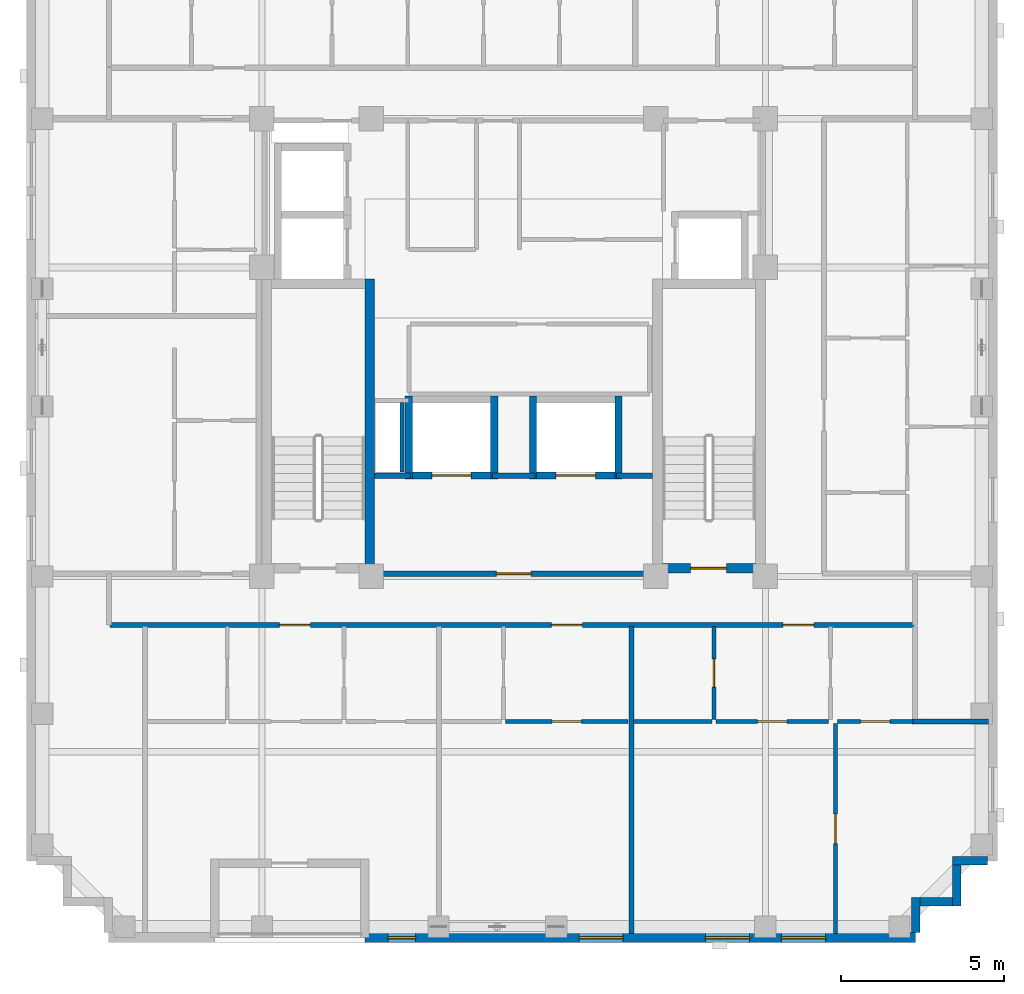
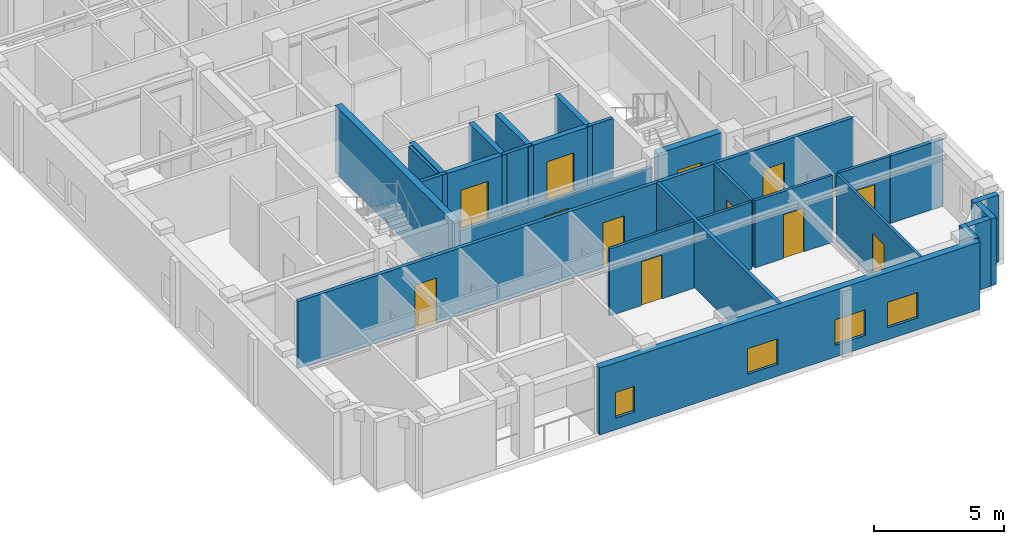
# One storey, part 3 of 11: 27 walls, 12 doors, 4 windows, 16 openings.
"""IFC4 building model written with IfcOpenShell, lengths in metres."""

from ifc_helpers import new_model, si_unit, derived_unit, direction, frame, frame_2d, origin, place, context, subcontext, project, spatial, rectangle, extrude, material, layer, layer_set, type_object, element, fill, save


model = new_model("IFC4")

# Units and contexts
model_context = context("Model", 3, precision=1e-05, world=origin(), true_north=direction((0.0, 1.0)))
body_context = subcontext(model_context, "Body", "Model", "MODEL_VIEW")
ifc_project = project(units=[si_unit("LENGTHUNIT", "METRE"), si_unit("AREAUNIT", "SQUARE_METRE"), si_unit("VOLUMEUNIT", "CUBIC_METRE"), si_unit("PLANEANGLEUNIT", "RADIAN"), si_unit("MASSUNIT", "GRAM", prefix="KILO"), derived_unit("THERMALTRANSMITTANCEUNIT", [(si_unit("MASSUNIT", "GRAM", prefix="KILO"), 1), (si_unit("TIMEUNIT", "SECOND"), -3), (si_unit("THERMODYNAMICTEMPERATUREUNIT", "KELVIN"), -1)])], contexts=[model_context])

# Site, building, storey
site_placement = place(None, origin())
site = spatial("IfcSite", under=ifc_project, at=site_placement, CompositionType="ELEMENT")
building_placement = place(site_placement, origin())
building = spatial("IfcBuilding", under=site, at=building_placement, Name="Korrvale Station Residences", CompositionType="ELEMENT")
storey_placement = place(building_placement, frame((0.0, 0.0, 247.89990234375)))
storey = spatial("IfcBuildingStorey", under=building, at=storey_placement, Name="L72", CompositionType="ELEMENT", Elevation=247.89990234375)

# Wall
ifc_material_1 = material(Name="Concrete C50/60", Category="concrete")
ifc_layer_1 = layer(ifc_material_1, 0.300048828125, Name="Concrete C50/60")
ifc_layer_set_1 = layer_set([ifc_layer_1], Name="Concrete C50/60")
wall_type_1 = type_object("IfcWallType", Name="WAL-CORE-300-C50", PredefinedType="SHEAR", material=ifc_layer_set_1)
wall_1_placement = place(storey_placement, frame((21.10009765625, 15.10009765625, 0.0), z_axis=(0.0, 0.0, 1.0), x_axis=(0.0, 1.0, 0.0)))
element("IfcWall", 1, at=wall_1_placement, inside=storey, type_object=wall_type_1, Name="L72 ST-1 Core Shear Wall East", PredefinedType="SHEAR", context=body_context, shape_type="SweptSolid", body=[
    extrude(rectangle(XDim=9.0, YDim=0.300048828125, at=frame_2d((4.5, 0.0))), origin(), (0.0, 0.0, 1.0), 3.14013671875),
])

# Wall, opening, door
wall_2_placement = place(storey_placement, frame((30.050048828125, 15.25, 0.0), z_axis=(0.0, 0.0, 1.0), x_axis=(1.0, 0.0, 0.0)))
wall_2 = element("IfcWall", 2, at=wall_2_placement, inside=storey, type_object=wall_type_1, Name="L72 ST-2 Core Shear Wall South", PredefinedType="SHEAR", context=body_context, shape_type="SweptSolid", body=[
    extrude(rectangle(XDim=2.849853515625, YDim=0.300048828125, at=frame_2d((1.4248046875, 0.0))), origin(), (0.0, 0.0, 1.0), 3.14013671875),
])
opening_1_placement = place(wall_2_placement, frame((0.860107421875, 0.0, 0.0)))
opening_1 = element("IfcOpeningElement", 3, at=opening_1_placement, cuts=wall_2, Name="Opening SD-1100", PredefinedType="OPENING", context=body_context, shape_type="SweptSolid", body=[
    extrude(rectangle(XDim=1.10009765625, YDim=2.050048828125, at=frame_2d((0.550048828125, 1.02490234375))), frame((0.0, 0.16015625, 0.0), z_axis=(0.0, -1.0, 0.0), x_axis=(1.0, 0.0, 0.0)), (0.0, 0.0, 1.0), 0.320068359375),
])
ifc_material_2 = material(Name="Hollow-metal fire-rated stair door with closer", Category="steel")
door_type_1 = type_object("IfcDoorType", Name="DR-STAIR-1100", OperationType="NOTDEFINED", PredefinedType="DOOR", material=ifc_material_2)
door_1_placement = place(opening_1_placement, origin())
door_1 = element("IfcDoor", 4, at=door_1_placement, inside=storey, type_object=door_type_1, Name="L72 ST-2 Exit Stair Door", OperationType="SINGLE_SWING_RIGHT", OverallHeight=2.050048828125, OverallWidth=1.10009765625, PredefinedType="DOOR", context=body_context, shape_type="SweptSolid", body=[
    extrude(rectangle(XDim=1.10009765625, YDim=2.050048828125, at=frame_2d((0.550048828125, 1.02490234375))), frame((0.0, 0.02490234375, 0.0), z_axis=(0.0, -1.0, 0.0), x_axis=(1.0, 0.0, 0.0)), (0.0, 0.0, 1.0), 0.050048828125),
])
fill(opening_1, door_1)

# Walls
ifc_material_3 = material(Name="Precast concrete C45/55", Category="concrete")
ifc_layer_2 = layer(ifc_material_3, 0.260009765625, Name="Precast concrete C45/55")
ifc_layer_set_2 = layer_set([ifc_layer_2], Name="Precast concrete C45/55")
wall_type_2 = type_object("IfcWallType", Name="WAL-EXT-LOG260", PredefinedType="SOLIDWALL", material=ifc_layer_set_2)
wall_3_placement = place(storey_placement, frame((39.998046875, 6.300048828125, 0.0), z_axis=(0.0, 0.0, 1.0), x_axis=(-1.0, 0.0, 0.0)))
element("IfcWall", 5, at=wall_3_placement, inside=storey, type_object=wall_type_2, Name="L72 Serrated Corner Precast Step SE-1", PredefinedType="SOLIDWALL", context=body_context, shape_type="SweptSolid", body=[
    extrude(rectangle(XDim=1.078125, YDim=0.260009765625, at=frame_2d((0.5390625, 0.0))), origin(), (0.0, 0.0, 1.0), 3.14013671875),
])
wall_4_placement = place(storey_placement, frame((39.050048828125, 6.16796875, 0.0), z_axis=(0.0, 0.0, 1.0), x_axis=(0.0, -1.0, 0.0)))
element("IfcWall", 6, at=wall_4_placement, inside=storey, type_object=wall_type_2, Name="L72 Serrated Corner Precast Step SE-2", PredefinedType="SOLIDWALL", context=body_context, shape_type="SweptSolid", body=[
    extrude(rectangle(XDim=1.248046875, YDim=0.260009765625, at=frame_2d((0.6240234375, 0.0))), origin(), (0.0, 0.0, 1.0), 3.14013671875),
])
wall_5_placement = place(storey_placement, frame((38.91796875, 5.050048828125, 0.0), z_axis=(0.0, 0.0, 1.0), x_axis=(-1.0, 0.0, 0.0)))
element("IfcWall", 7, at=wall_5_placement, inside=storey, type_object=wall_type_2, Name="L72 Serrated Corner Precast Step SE-3", PredefinedType="SOLIDWALL", context=body_context, shape_type="SweptSolid", body=[
    extrude(rectangle(XDim=0.986083984375, YDim=0.260009765625, at=frame_2d((0.4931640625, 0.0))), origin(), (0.0, 0.0, 1.0), 3.14013671875),
])
wall_6_placement = place(storey_placement, frame((37.800048828125, 5.179931640625, 0.0), z_axis=(0.0, 0.0, 1.0), x_axis=(0.0, -1.0, 0.0)))
element("IfcWall", 8, at=wall_6_placement, inside=storey, type_object=wall_type_2, Name="L72 Serrated Corner Precast Step SE-4", PredefinedType="SOLIDWALL", context=body_context, shape_type="SweptSolid", body=[
    extrude(rectangle(XDim=1.077880859375, YDim=0.260009765625, at=frame_2d((0.5390625, 0.0))), origin(), (0.0, 0.0, 1.0), 3.14013671875),
])

# Wall, openings, windows
ifc_layer_3 = layer(ifc_material_3, 0.300048828125, Name="Precast concrete C45/55")
ifc_layer_set_3 = layer_set([ifc_layer_3], Name="Precast concrete C45/55")
wall_type_3 = type_object("IfcWallType", Name="WAL-EXT-PC300", PredefinedType="SOLIDWALL", material=ifc_layer_set_3)
wall_7_placement = place(storey_placement, frame((37.800048828125, 3.949951171875, 0.0), z_axis=(0.0, 0.0, 1.0), x_axis=(-1.0, 0.0, 0.0)))
wall_7 = element("IfcWall", 9, at=wall_7_placement, inside=storey, type_object=wall_type_3, Name="L72 South Exterior Precast Wall 1", PredefinedType="SOLIDWALL", context=body_context, shape_type="SweptSolid", body=[
    extrude(rectangle(XDim=16.85009765625, YDim=0.300048828125, at=frame_2d((8.425048828125, 0.0))), origin(), (0.0, 0.0, 1.0), 3.14013671875),
])
opening_2_placement = place(wall_7_placement, frame((15.300048828125, 0.0, 0.550048828125)))
opening_2 = element("IfcOpeningElement", 10, at=opening_2_placement, cuts=wall_7, Name="Opening W-11", PredefinedType="OPENING", context=body_context, shape_type="SweptSolid", body=[
    extrude(rectangle(XDim=0.85009765625, YDim=1.199951171875, at=frame_2d((0.425048828125, 0.60009765625))), frame((0.0, 0.16015625, 0.0), z_axis=(0.0, -1.0, 0.0), x_axis=(1.0, 0.0, 0.0)), (0.0, 0.0, 1.0), 0.320068359375),
])
opening_3_placement = place(wall_7_placement, frame((8.949951171875, 0.0, 0.550048828125)))
opening_3 = element("IfcOpeningElement", 11, at=opening_3_placement, cuts=wall_7, Name="Opening W-10", PredefinedType="OPENING", context=body_context, shape_type="SweptSolid", body=[
    extrude(rectangle(XDim=1.35009765625, YDim=1.199951171875, at=frame_2d((0.675048828125, 0.60009765625))), frame((0.0, 0.16015625, 0.0), z_axis=(0.0, -1.0, 0.0), x_axis=(1.0, 0.0, 0.0)), (0.0, 0.0, 1.0), 0.320068359375),
])
opening_4_placement = place(wall_7_placement, frame((5.0849609375, 0.0, 0.550048828125)))
opening_4 = element("IfcOpeningElement", 12, at=opening_4_placement, cuts=wall_7, Name="Opening W-10", PredefinedType="OPENING", context=body_context, shape_type="SweptSolid", body=[
    extrude(rectangle(XDim=1.35009765625, YDim=1.199951171875, at=frame_2d((0.675048828125, 0.60009765625))), frame((0.0, 0.16015625, 0.0), z_axis=(0.0, -1.0, 0.0), x_axis=(1.0, 0.0, 0.0)), (0.0, 0.0, 1.0), 0.320068359375),
])
opening_5_placement = place(wall_7_placement, frame((2.757080078125, 0.0, 0.550048828125)))
opening_5 = element("IfcOpeningElement", 13, at=opening_5_placement, cuts=wall_7, Name="Opening W-10", PredefinedType="OPENING", context=body_context, shape_type="SweptSolid", body=[
    extrude(rectangle(XDim=1.35009765625, YDim=1.199951171875, at=frame_2d((0.675048828125, 0.60009765625))), frame((0.0, 0.16015625, 0.0), z_axis=(0.0, -1.0, 0.0), x_axis=(1.0, 0.0, 0.0)), (0.0, 0.0, 1.0), 0.320068359375),
])
ifc_material_4 = material(Name="Thermally broken aluminium frame with triple low-e glazing", Category="aluminium")
window_type_1 = type_object("IfcWindowType", Name="WIN-W10", PartitioningType="SINGLE_PANEL", PredefinedType="WINDOW", material=ifc_material_4)
window_1_placement = place(opening_3_placement, origin())
window_1 = element("IfcWindow", 14, at=window_1_placement, inside=storey, type_object=window_type_1, Name="L72 Punched Window 02", OverallHeight=1.199951171875, OverallWidth=1.35009765625, PartitioningType="SINGLE_PANEL", PredefinedType="WINDOW", context=body_context, shape_type="SweptSolid", body=[
    extrude(rectangle(XDim=1.35009765625, YDim=1.199951171875, at=frame_2d((0.675048828125, 0.60009765625))), frame((0.0, 0.030029296875, 0.0), z_axis=(0.0, -1.0, 0.0), x_axis=(1.0, 0.0, 0.0)), (0.0, 0.0, 1.0), 0.06005859375),
])
fill(opening_3, window_1)
window_2_placement = place(opening_4_placement, origin())
window_2 = element("IfcWindow", 15, at=window_2_placement, inside=storey, type_object=window_type_1, Name="L72 Punched Window 03", OverallHeight=1.199951171875, OverallWidth=1.35009765625, PartitioningType="SINGLE_PANEL", PredefinedType="WINDOW", context=body_context, shape_type="SweptSolid", body=[
    extrude(rectangle(XDim=1.35009765625, YDim=1.199951171875, at=frame_2d((0.675048828125, 0.60009765625))), frame((0.0, 0.030029296875, 0.0), z_axis=(0.0, -1.0, 0.0), x_axis=(1.0, 0.0, 0.0)), (0.0, 0.0, 1.0), 0.06005859375),
])
fill(opening_4, window_2)
window_3_placement = place(opening_5_placement, origin())
window_3 = element("IfcWindow", 16, at=window_3_placement, inside=storey, type_object=window_type_1, Name="L72 Punched Window 04", OverallHeight=1.199951171875, OverallWidth=1.35009765625, PartitioningType="SINGLE_PANEL", PredefinedType="WINDOW", context=body_context, shape_type="SweptSolid", body=[
    extrude(rectangle(XDim=1.35009765625, YDim=1.199951171875, at=frame_2d((0.675048828125, 0.60009765625))), frame((0.0, 0.030029296875, 0.0), z_axis=(0.0, -1.0, 0.0), x_axis=(1.0, 0.0, 0.0)), (0.0, 0.0, 1.0), 0.06005859375),
])
fill(opening_5, window_3)
window_type_2 = type_object("IfcWindowType", Name="WIN-W11", PartitioningType="SINGLE_PANEL", PredefinedType="WINDOW", material=ifc_material_4)
window_4_placement = place(opening_2_placement, origin())
window_4 = element("IfcWindow", 17, at=window_4_placement, inside=storey, type_object=window_type_2, Name="L72 Punched Window 01", OverallHeight=1.199951171875, OverallWidth=0.85009765625, PartitioningType="SINGLE_PANEL", PredefinedType="WINDOW", context=body_context, shape_type="SweptSolid", body=[
    extrude(rectangle(XDim=0.85009765625, YDim=1.199951171875, at=frame_2d((0.425048828125, 0.60009765625))), frame((0.0, 0.030029296875, 0.0), z_axis=(0.0, -1.0, 0.0), x_axis=(1.0, 0.0, 0.0)), (0.0, 0.0, 1.0), 0.06005859375),
])
fill(opening_2, window_4)

# Wall
ifc_material_5 = material(Name="Acoustic steel-stud gypsum board partition", Category="steel")
ifc_layer_4 = layer(ifc_material_5, 0.1201171875, Name="Acoustic steel-stud gypsum board partition")
ifc_layer_set_4 = layer_set([ifc_layer_4], Name="Acoustic steel-stud gypsum board partition")
wall_type_4 = type_object("IfcWallType", Name="WAL-PART-125", PredefinedType="PARTITIONING", material=ifc_layer_set_4)
wall_8_placement = place(storey_placement, frame((22.080078125, 18.199951171875, 0.0), z_axis=(0.0, 0.0, 1.0), x_axis=(0.0, 1.0, 0.0)))
element("IfcWall", 18, at=wall_8_placement, inside=storey, type_object=wall_type_4, Name="L72 Core Partition CW-RSWT", PredefinedType="PARTITIONING", context=body_context, shape_type="SweptSolid", body=[
    extrude(rectangle(XDim=2.1201171875, YDim=0.1201171875, at=frame_2d((1.06005859375, 0.0))), origin(), (0.0, 0.0, 1.0), 3.14013671875),
])

# Wall, opening, door
wall_9_placement = place(storey_placement, frame((25.25, 10.56005859375, 0.0), z_axis=(0.0, 0.0, 1.0), x_axis=(1.0, 0.0, 0.0)))
wall_9 = element("IfcWall", 19, at=wall_9_placement, inside=storey, type_object=wall_type_4, Name="L72 Suite Partition U02-H12", PredefinedType="PARTITIONING", context=body_context, shape_type="SweptSolid", body=[
    extrude(rectangle(XDim=3.7548828125, YDim=0.1201171875, at=frame_2d((1.87744140625, 0.0))), origin(), (0.0, 0.0, 1.0), 3.14013671875),
])
opening_6_placement = place(wall_9_placement, frame((1.427001953125, 0.0, 0.0)))
opening_6 = element("IfcOpeningElement", 20, at=opening_6_placement, cuts=wall_9, Name="Opening DI-900", PredefinedType="OPENING", context=body_context, shape_type="SweptSolid", body=[
    extrude(rectangle(XDim=0.89990234375, YDim=2.050048828125, at=frame_2d((0.449951171875, 1.02490234375))), frame((0.0, 0.070068359375, 0.0), z_axis=(0.0, -1.0, 0.0), x_axis=(1.0, 0.0, 0.0)), (0.0, 0.0, 1.0), 0.14013671875),
])
ifc_material_6 = material(Name="Painted solid-core timber interior room door", Category="wood")
door_type_2 = type_object("IfcDoorType", Name="DR-INT-900", OperationType="NOTDEFINED", PredefinedType="DOOR", material=ifc_material_6)
door_2_placement = place(opening_6_placement, origin())
door_2 = element("IfcDoor", 21, at=door_2_placement, inside=storey, type_object=door_type_2, Name="L72 Studio Apartment L72-U02 Kitchen Door", OperationType="SINGLE_SWING_RIGHT", OverallHeight=2.050048828125, OverallWidth=0.89990234375, PredefinedType="DOOR", context=body_context, shape_type="SweptSolid", body=[
    extrude(rectangle(XDim=0.89990234375, YDim=2.050048828125, at=frame_2d((0.449951171875, 1.02490234375))), frame((0.0, 0.02490234375, 0.0), z_axis=(0.0, -1.0, 0.0), x_axis=(1.0, 0.0, 0.0)), (0.0, 0.0, 1.0), 0.050048828125),
])
fill(opening_6, door_2)

wall_10_placement = place(storey_placement, frame((31.625, 10.6201171875, 0.0), z_axis=(0.0, 0.0, 1.0), x_axis=(0.0, 1.0, 0.0)))
wall_10 = element("IfcWall", 22, at=wall_10_placement, inside=storey, type_object=wall_type_4, Name="L72 Suite Partition U03-V01", PredefinedType="PARTITIONING", context=body_context, shape_type="SweptSolid", body=[
    extrude(rectangle(XDim=2.849853515625, YDim=0.1201171875, at=frame_2d((1.4248046875, 0.0))), origin(), (0.0, 0.0, 1.0), 3.14013671875),
])
opening_7_placement = place(wall_10_placement, frame((0.9951171875, 0.0, 0.0)))
opening_7 = element("IfcOpeningElement", 23, at=opening_7_placement, cuts=wall_10, Name="Opening DB-860", PredefinedType="OPENING", context=body_context, shape_type="SweptSolid", body=[
    extrude(rectangle(XDim=0.860107421875, YDim=2.050048828125, at=frame_2d((0.43017578125, 1.02490234375))), frame((0.0, 0.070068359375, 0.0), z_axis=(0.0, -1.0, 0.0), x_axis=(1.0, 0.0, 0.0)), (0.0, 0.0, 1.0), 0.14013671875),
])
ifc_material_7 = material(Name="Moisture-resistant solid-core bathroom door", Category="timber")
door_type_3 = type_object("IfcDoorType", Name="DR-BATH-860", OperationType="NOTDEFINED", PredefinedType="DOOR", material=ifc_material_7)
door_3_placement = place(opening_7_placement, origin())
door_3 = element("IfcDoor", 24, at=door_3_placement, inside=storey, type_object=door_type_3, Name="L72 Apartment 1BR L72-U03 Bathroom Door", OperationType="SINGLE_SWING_LEFT", OverallHeight=2.050048828125, OverallWidth=0.860107421875, PredefinedType="DOOR", context=body_context, shape_type="SweptSolid", body=[
    extrude(rectangle(XDim=0.860107421875, YDim=2.050048828125, at=frame_2d((0.43017578125, 1.02490234375))), frame((0.0, 0.02490234375, 0.0), z_axis=(0.0, -1.0, 0.0), x_axis=(1.0, 0.0, 0.0)), (0.0, 0.0, 1.0), 0.050048828125),
])
fill(opening_7, door_3)

# Wall
wall_11_placement = place(storey_placement, frame((29.1650390625, 10.56005859375, 0.0), z_axis=(0.0, 0.0, 1.0), x_axis=(1.0, 0.0, 0.0)))
element("IfcWall", 25, at=wall_11_placement, inside=storey, type_object=wall_type_4, Name="L72 Suite Partition U03-H03", PredefinedType="PARTITIONING", context=body_context, shape_type="SweptSolid", body=[
    extrude(rectangle(XDim=2.39990234375, YDim=0.1201171875, at=frame_2d((1.199951171875, 0.0))), origin(), (0.0, 0.0, 1.0), 3.14013671875),
])

# Wall, opening, door
wall_12_placement = place(storey_placement, frame((31.68505859375, 10.56005859375, 0.0), z_axis=(0.0, 0.0, 1.0), x_axis=(1.0, 0.0, 0.0)))
wall_12 = element("IfcWall", 26, at=wall_12_placement, inside=storey, type_object=wall_type_4, Name="L72 Suite Partition U03-H13", PredefinedType="PARTITIONING", context=body_context, shape_type="SweptSolid", body=[
    extrude(rectangle(XDim=3.449951171875, YDim=0.1201171875, at=frame_2d((1.72509765625, 0.0))), origin(), (0.0, 0.0, 1.0), 3.14013671875),
])
opening_8_placement = place(wall_12_placement, frame((1.27490234375, 0.0, 0.0)))
opening_8 = element("IfcOpeningElement", 27, at=opening_8_placement, cuts=wall_12, Name="Opening DI-900", PredefinedType="OPENING", context=body_context, shape_type="SweptSolid", body=[
    extrude(rectangle(XDim=0.89990234375, YDim=2.050048828125, at=frame_2d((0.449951171875, 1.02490234375))), frame((0.0, 0.070068359375, 0.0), z_axis=(0.0, -1.0, 0.0), x_axis=(1.0, 0.0, 0.0)), (0.0, 0.0, 1.0), 0.14013671875),
])
door_4_placement = place(opening_8_placement, origin())
door_4 = element("IfcDoor", 28, at=door_4_placement, inside=storey, type_object=door_type_2, Name="L72 Apartment 1BR L72-U03 Kitchen Door", OperationType="SINGLE_SWING_LEFT", OverallHeight=2.050048828125, OverallWidth=0.89990234375, PredefinedType="DOOR", context=body_context, shape_type="SweptSolid", body=[
    extrude(rectangle(XDim=0.89990234375, YDim=2.050048828125, at=frame_2d((0.449951171875, 1.02490234375))), frame((0.0, 0.02490234375, 0.0), z_axis=(0.0, -1.0, 0.0), x_axis=(1.0, 0.0, 0.0)), (0.0, 0.0, 1.0), 0.050048828125),
])
fill(opening_8, door_4)

wall_13_placement = place(storey_placement, frame((35.409912109375, 10.56005859375, 0.0), z_axis=(0.0, 0.0, 1.0), x_axis=(1.0, 0.0, 0.0)))
wall_13 = element("IfcWall", 29, at=wall_13_placement, inside=storey, type_object=wall_type_4, Name="L72 Suite Partition U03-H24", PredefinedType="PARTITIONING", context=body_context, shape_type="SweptSolid", body=[
    extrude(rectangle(XDim=2.31005859375, YDim=0.1201171875, at=frame_2d((1.155029296875, 0.0))), origin(), (0.0, 0.0, 1.0), 3.14013671875),
])
opening_9_placement = place(wall_13_placement, frame((0.705078125, 0.0, 0.0)))
opening_9 = element("IfcOpeningElement", 30, at=opening_9_placement, cuts=wall_13, Name="Opening DI-900", PredefinedType="OPENING", context=body_context, shape_type="SweptSolid", body=[
    extrude(rectangle(XDim=0.89990234375, YDim=2.050048828125, at=frame_2d((0.449951171875, 1.02490234375))), frame((0.0, 0.070068359375, 0.0), z_axis=(0.0, -1.0, 0.0), x_axis=(1.0, 0.0, 0.0)), (0.0, 0.0, 1.0), 0.14013671875),
])
door_5_placement = place(opening_9_placement, origin())
door_5 = element("IfcDoor", 31, at=door_5_placement, inside=storey, type_object=door_type_2, Name="L72 Apartment 1BR L72-U03 Utility and Laundry Room Door", OperationType="SINGLE_SWING_RIGHT", OverallHeight=2.050048828125, OverallWidth=0.89990234375, PredefinedType="DOOR", context=body_context, shape_type="SweptSolid", body=[
    extrude(rectangle(XDim=0.89990234375, YDim=2.050048828125, at=frame_2d((0.449951171875, 1.02490234375))), frame((0.0, 0.02490234375, 0.0), z_axis=(0.0, -1.0, 0.0), x_axis=(1.0, 0.0, 0.0)), (0.0, 0.0, 1.0), 0.050048828125),
])
fill(opening_9, door_5)

wall_14_placement = place(storey_placement, frame((35.35009765625, 4.080078125, 0.0), z_axis=(0.0, 0.0, 1.0), x_axis=(0.0, 1.0, 0.0)))
wall_14 = element("IfcWall", 32, at=wall_14_placement, inside=storey, type_object=wall_type_4, Name="L72 Suite Partition U03-V34", PredefinedType="PARTITIONING", context=body_context, shape_type="SweptSolid", body=[
    extrude(rectangle(XDim=6.419921875, YDim=0.1201171875, at=frame_2d((3.2099609375, 0.0))), origin(), (0.0, 0.0, 1.0), 3.14013671875),
])
opening_10_placement = place(wall_14_placement, frame((2.7451171875, 0.0, 0.0)))
opening_10 = element("IfcOpeningElement", 33, at=opening_10_placement, cuts=wall_14, Name="Opening DI-900", PredefinedType="OPENING", context=body_context, shape_type="SweptSolid", body=[
    extrude(rectangle(XDim=0.89990234375, YDim=2.050048828125, at=frame_2d((0.449951171875, 1.02490234375))), frame((0.0, 0.070068359375, 0.0), z_axis=(0.0, -1.0, 0.0), x_axis=(1.0, 0.0, 0.0)), (0.0, 0.0, 1.0), 0.14013671875),
])
door_6_placement = place(opening_10_placement, origin())
door_6 = element("IfcDoor", 34, at=door_6_placement, inside=storey, type_object=door_type_2, Name="L72 Apartment 1BR L72-U03 Living and Dining Room Door", OperationType="SINGLE_SWING_LEFT", OverallHeight=2.050048828125, OverallWidth=0.89990234375, PredefinedType="DOOR", context=body_context, shape_type="SweptSolid", body=[
    extrude(rectangle(XDim=0.89990234375, YDim=2.050048828125, at=frame_2d((0.449951171875, 1.02490234375))), frame((0.0, 0.02490234375, 0.0), z_axis=(0.0, -1.0, 0.0), x_axis=(1.0, 0.0, 0.0)), (0.0, 0.0, 1.0), 0.050048828125),
])
fill(opening_10, door_6)

ifc_material_8 = material(Name="Fire-rated twin-stud gypsum and mineral wool shaftwall assembly", Category="gypsum")
ifc_layer_5 = layer(ifc_material_8, 0.159912109375, Name="Fire-rated twin-stud gypsum and mineral wool shaftwall assembly")
ifc_layer_set_5 = layer_set([ifc_layer_5], Name="Fire-rated twin-stud gypsum and mineral wool shaftwall assembly")
wall_type_5 = type_object("IfcWallType", Name="WAL-PART-200", PredefinedType="PARTITIONING", material=ifc_layer_set_5)
wall_15_placement = place(storey_placement, frame((21.25, 15.080078125, 0.0), z_axis=(0.0, 0.0, 1.0), x_axis=(1.0, 0.0, 0.0)))
wall_15 = element("IfcWall", 35, at=wall_15_placement, inside=storey, type_object=wall_type_5, Name="L72 Core Partition CW-FFL-S", PredefinedType="PARTITIONING", context=body_context, shape_type="SweptSolid", body=[
    extrude(rectangle(XDim=8.5, YDim=0.159912109375, at=frame_2d((4.25, 0.0))), origin(), (0.0, 0.0, 1.0), 2.668212890625),
])
opening_11_placement = place(wall_15_placement, frame((3.72509765625, 0.0, 0.0)))
opening_11 = element("IfcOpeningElement", 36, at=opening_11_placement, cuts=wall_15, Name="Opening FD-1050", PredefinedType="OPENING", context=body_context, shape_type="SweptSolid", body=[
    extrude(rectangle(XDim=1.050048828125, YDim=2.050048828125, at=frame_2d((0.52490234375, 1.02490234375))), frame((0.0, 0.08984375, 0.0), z_axis=(0.0, -1.0, 0.0), x_axis=(1.0, 0.0, 0.0)), (0.0, 0.0, 1.0), 0.179931640625),
])
ifc_material_9 = material(Name="Fire-rated mineral-core timber lobby door", Category="wood")
door_type_4 = type_object("IfcDoorType", Name="DR-CORE-1050", OperationType="NOTDEFINED", PredefinedType="DOOR", material=ifc_material_9)
door_7_placement = place(opening_11_placement, origin())
door_7 = element("IfcDoor", 37, at=door_7_placement, inside=storey, type_object=door_type_4, Name="L72 Firefighting Lobby Entry Door", OperationType="SINGLE_SWING_RIGHT", OverallHeight=2.050048828125, OverallWidth=1.050048828125, PredefinedType="DOOR", context=body_context, shape_type="SweptSolid", body=[
    extrude(rectangle(XDim=1.050048828125, YDim=2.050048828125, at=frame_2d((0.52490234375, 1.02490234375))), frame((0.0, 0.02490234375, 0.0), z_axis=(0.0, -1.0, 0.0), x_axis=(1.0, 0.0, 0.0)), (0.0, 0.0, 1.0), 0.050048828125),
])
fill(opening_11, door_7)

# Walls
wall_16_placement = place(storey_placement, frame((21.25, 18.080078125, 0.0), z_axis=(0.0, 0.0, 1.0), x_axis=(1.0, 0.0, 0.0)))
element("IfcWall", 38, at=wall_16_placement, inside=storey, type_object=wall_type_5, Name="L72 Core Partition CW-FFL-N1", PredefinedType="PARTITIONING", context=body_context, shape_type="SweptSolid", body=[
    extrude(rectangle(XDim=1.10009765625, YDim=0.159912109375, at=frame_2d((0.550048828125, 0.0))), origin(), (0.0, 0.0, 1.0), 3.14013671875),
])
wall_17_placement = place(storey_placement, frame((24.85009765625, 18.080078125, 0.0), z_axis=(0.0, 0.0, 1.0), x_axis=(1.0, 0.0, 0.0)))
element("IfcWall", 39, at=wall_17_placement, inside=storey, type_object=wall_type_5, Name="L72 Core Partition CW-FFL-N2", PredefinedType="PARTITIONING", context=body_context, shape_type="SweptSolid", body=[
    extrude(rectangle(XDim=1.2998046875, YDim=0.159912109375, at=frame_2d((0.64990234375, 0.0))), origin(), (0.0, 0.0, 1.0), 3.14013671875),
])
wall_18_placement = place(storey_placement, frame((28.64990234375, 18.080078125, 0.0), z_axis=(0.0, 0.0, 1.0), x_axis=(1.0, 0.0, 0.0)))
element("IfcWall", 40, at=wall_18_placement, inside=storey, type_object=wall_type_5, Name="L72 Core Partition CW-FFL-N3", PredefinedType="PARTITIONING", context=body_context, shape_type="SweptSolid", body=[
    extrude(rectangle(XDim=1.10009765625, YDim=0.159912109375, at=frame_2d((0.550048828125, 0.0))), origin(), (0.0, 0.0, 1.0), 3.14013671875),
])
wall_19_placement = place(storey_placement, frame((37.679931640625, 10.56005859375, 0.0), z_axis=(0.0, 0.0, 1.0), x_axis=(1.0, 0.0, 0.0)))
element("IfcWall", 41, at=wall_19_placement, inside=storey, type_object=wall_type_5, Name="L72 Corner Step Wall U03-R", PredefinedType="PARTITIONING", context=body_context, shape_type="SweptSolid", body=[
    extrude(rectangle(XDim=2.340087890625, YDim=0.159912109375, at=frame_2d((1.169921875, 0.0))), origin(), (0.0, 0.0, 1.0), 3.14013671875),
])
wall_20_placement = place(storey_placement, frame((29.10498046875, 4.080078125, 0.0), z_axis=(0.0, 0.0, 1.0), x_axis=(0.0, 1.0, 0.0)))
element("IfcWall", 42, at=wall_20_placement, inside=storey, type_object=wall_type_5, Name="L72 Demising Wall U03-W", PredefinedType="PARTITIONING", context=body_context, shape_type="SweptSolid", body=[
    extrude(rectangle(XDim=9.389892578125, YDim=0.159912109375, at=frame_2d((4.69482421875, 0.0))), origin(), (0.0, 0.0, 1.0), 3.14013671875),
])

# Wall, openings, doors
wall_21_placement = place(storey_placement, frame((13.14990234375, 13.510009765625, 0.0), z_axis=(0.0, 0.0, 1.0), x_axis=(1.0, 0.0, 0.0)))
wall_21 = element("IfcWall", 43, at=wall_21_placement, inside=storey, type_object=wall_type_5, Name="L72 Rated Corridor Wall S", PredefinedType="PARTITIONING", context=body_context, shape_type="SweptSolid", body=[
    extrude(rectangle(XDim=24.60009765625, YDim=0.159912109375, at=frame_2d((12.300048828125, 0.0))), origin(), (0.0, 0.0, 1.0), 3.14013671875),
])
opening_12_placement = place(wall_21_placement, frame((5.18505859375, 0.0, 0.0)))
opening_12 = element("IfcOpeningElement", 44, at=opening_12_placement, cuts=wall_21, Name="Opening UD-950", PredefinedType="OPENING", context=body_context, shape_type="SweptSolid", body=[
    extrude(rectangle(XDim=0.949951171875, YDim=2.10009765625, at=frame_2d((0.47509765625, 1.050048828125))), frame((0.0, 0.08984375, 0.0), z_axis=(0.0, -1.0, 0.0), x_axis=(1.0, 0.0, 0.0)), (0.0, 0.0, 1.0), 0.179931640625),
])
opening_13_placement = place(wall_21_placement, frame((13.5029296875, 0.0, 0.0)))
opening_13 = element("IfcOpeningElement", 45, at=opening_13_placement, cuts=wall_21, Name="Opening UD-950", PredefinedType="OPENING", context=body_context, shape_type="SweptSolid", body=[
    extrude(rectangle(XDim=0.949951171875, YDim=2.10009765625, at=frame_2d((0.47509765625, 1.050048828125))), frame((0.0, 0.08984375, 0.0), z_axis=(0.0, -1.0, 0.0), x_axis=(1.0, 0.0, 0.0)), (0.0, 0.0, 1.0), 0.179931640625),
])
opening_14_placement = place(wall_21_placement, frame((20.5849609375, 0.0, 0.0)))
opening_14 = element("IfcOpeningElement", 46, at=opening_14_placement, cuts=wall_21, Name="Opening UD-950", PredefinedType="OPENING", context=body_context, shape_type="SweptSolid", body=[
    extrude(rectangle(XDim=0.949951171875, YDim=2.10009765625, at=frame_2d((0.47509765625, 1.050048828125))), frame((0.0, 0.08984375, 0.0), z_axis=(0.0, -1.0, 0.0), x_axis=(1.0, 0.0, 0.0)), (0.0, 0.0, 1.0), 0.179931640625),
])
ifc_material_10 = material(Name="Solid-core acoustic oak apartment entrance door", Category="timber")
door_type_5 = type_object("IfcDoorType", Name="DR-UNIT-950", OperationType="NOTDEFINED", PredefinedType="DOOR", material=ifc_material_10)
door_8_placement = place(opening_12_placement, origin())
door_8 = element("IfcDoor", 47, at=door_8_placement, inside=storey, type_object=door_type_5, Name="L72 Apartment L72-U01 Entrance Door", OperationType="SINGLE_SWING_RIGHT", OverallHeight=2.10009765625, OverallWidth=0.949951171875, PredefinedType="DOOR", context=body_context, shape_type="SweptSolid", body=[
    extrude(rectangle(XDim=0.949951171875, YDim=2.10009765625, at=frame_2d((0.47509765625, 1.050048828125))), frame((0.0, 0.02490234375, 0.0), z_axis=(0.0, -1.0, 0.0), x_axis=(1.0, 0.0, 0.0)), (0.0, 0.0, 1.0), 0.050048828125),
])
fill(opening_12, door_8)
door_9_placement = place(opening_13_placement, origin())
door_9 = element("IfcDoor", 48, at=door_9_placement, inside=storey, type_object=door_type_5, Name="L72 Apartment L72-U02 Entrance Door", OperationType="SINGLE_SWING_LEFT", OverallHeight=2.10009765625, OverallWidth=0.949951171875, PredefinedType="DOOR", context=body_context, shape_type="SweptSolid", body=[
    extrude(rectangle(XDim=0.949951171875, YDim=2.10009765625, at=frame_2d((0.47509765625, 1.050048828125))), frame((0.0, 0.02490234375, 0.0), z_axis=(0.0, -1.0, 0.0), x_axis=(1.0, 0.0, 0.0)), (0.0, 0.0, 1.0), 0.050048828125),
])
fill(opening_13, door_9)
door_10_placement = place(opening_14_placement, origin())
door_10 = element("IfcDoor", 49, at=door_10_placement, inside=storey, type_object=door_type_5, Name="L72 Apartment L72-U03 Entrance Door", OperationType="SINGLE_SWING_RIGHT", OverallHeight=2.10009765625, OverallWidth=0.949951171875, PredefinedType="DOOR", context=body_context, shape_type="SweptSolid", body=[
    extrude(rectangle(XDim=0.949951171875, YDim=2.10009765625, at=frame_2d((0.47509765625, 1.050048828125))), frame((0.0, 0.02490234375, 0.0), z_axis=(0.0, -1.0, 0.0), x_axis=(1.0, 0.0, 0.0)), (0.0, 0.0, 1.0), 0.050048828125),
])
fill(opening_14, door_10)

# Wall, opening, door
ifc_layer_6 = layer(ifc_material_1, 0.219970703125, Name="Concrete C50/60")
ifc_layer_set_6 = layer_set([ifc_layer_6], Name="Concrete C50/60")
wall_type_6 = type_object("IfcWallType", Name="WAL-SHAFT-220-C50", PredefinedType="SHEAR", material=ifc_layer_set_6)
wall_22_placement = place(storey_placement, frame((22.39990234375, 18.090087890625, 0.0), z_axis=(0.0, 0.0, 1.0), x_axis=(1.0, 0.0, 0.0)))
wall_22 = element("IfcWall", 50, at=wall_22_placement, inside=storey, type_object=wall_type_6, Name="L72 Elevator FFL-1 Hoistway Wall South", PredefinedType="SHEAR", context=body_context, shape_type="SweptSolid", body=[
    extrude(rectangle(XDim=2.400146484375, YDim=0.219970703125, at=frame_2d((1.2001953125, 0.0))), origin(), (0.0, 0.0, 1.0), 3.14013671875),
])
opening_15_placement = place(wall_22_placement, frame((0.60009765625, 0.0, 0.0)))
opening_15 = element("IfcOpeningElement", 51, at=opening_15_placement, cuts=wall_22, Name="Opening LD-FF1200", PredefinedType="OPENING", context=body_context, shape_type="SweptSolid", body=[
    extrude(rectangle(XDim=1.199951171875, YDim=2.14990234375, at=frame_2d((0.60009765625, 1.074951171875))), frame((0.0, 0.1201171875, 0.0), z_axis=(0.0, -1.0, 0.0), x_axis=(1.0, 0.0, 0.0)), (0.0, 0.0, 1.0), 0.239990234375),
])
ifc_material_11 = material(Name="Stainless-steel firefighter elevator landing sliding door", Category="steel")
door_type_6 = type_object("IfcDoorType", Name="DR-LIFT-FF1200", OperationType="SLIDING_TO_LEFT", PredefinedType="DOOR", material=ifc_material_11)
door_11_placement = place(opening_15_placement, origin())
door_11 = element("IfcDoor", 52, at=door_11_placement, inside=storey, type_object=door_type_6, Name="L72 Elevator FFL-1 Sliding Landing Door", OperationType="SLIDING_TO_LEFT", OverallHeight=2.14990234375, OverallWidth=1.199951171875, PredefinedType="DOOR", context=body_context, shape_type="SweptSolid", body=[
    extrude(rectangle(XDim=1.199951171875, YDim=2.14990234375, at=frame_2d((0.60009765625, 1.074951171875))), frame((0.0, 0.02490234375, 0.0), z_axis=(0.0, -1.0, 0.0), x_axis=(1.0, 0.0, 0.0)), (0.0, 0.0, 1.0), 0.050048828125),
])
fill(opening_15, door_11)

# Walls
for number, where, z_axis, x_axis, name in (
    (53, (22.2900390625, 17.97998046875, 0.0), (0.0, 0.0, 1.0), (0.0, 1.0, 0.0), "L72 Elevator FFL-1 Hoistway Wall West"),
    (54, (24.909912109375, 17.97998046875, 0.0), (0.0, 0.0, 1.0), (0.0, 1.0, 0.0), "L72 Elevator FFL-1 Hoistway Wall East"),
):
    element("IfcWall", number, at=place(storey_placement, frame(where, z_axis=z_axis, x_axis=x_axis)), inside=storey, type_object=wall_type_6, Name=name, PredefinedType="SHEAR", context=body_context, shape_type="SweptSolid", body=[
        extrude(rectangle(XDim=2.5400390625, YDim=0.219970703125, at=frame_2d((1.27001953125, 0.0))), origin(), (0.0, 0.0, 1.0), 3.14013671875),
    ])

# Wall, opening, door
wall_23_placement = place(storey_placement, frame((26.199951171875, 18.090087890625, 0.0), z_axis=(0.0, 0.0, 1.0), x_axis=(1.0, 0.0, 0.0)))
wall_23 = element("IfcWall", 55, at=wall_23_placement, inside=storey, type_object=wall_type_6, Name="L72 Elevator FFL-2 Hoistway Wall South", PredefinedType="SHEAR", context=body_context, shape_type="SweptSolid", body=[
    extrude(rectangle(XDim=2.400146484375, YDim=0.219970703125, at=frame_2d((1.2001953125, 0.0))), origin(), (0.0, 0.0, 1.0), 3.14013671875),
])
opening_16_placement = place(wall_23_placement, frame((0.60009765625, 0.0, 0.0)))
opening_16 = element("IfcOpeningElement", 56, at=opening_16_placement, cuts=wall_23, Name="Opening LD-FF1200", PredefinedType="OPENING", context=body_context, shape_type="SweptSolid", body=[
    extrude(rectangle(XDim=1.199951171875, YDim=2.14990234375, at=frame_2d((0.60009765625, 1.074951171875))), frame((0.0, 0.1201171875, 0.0), z_axis=(0.0, -1.0, 0.0), x_axis=(1.0, 0.0, 0.0)), (0.0, 0.0, 1.0), 0.239990234375),
])
door_12_placement = place(opening_16_placement, origin())
door_12 = element("IfcDoor", 57, at=door_12_placement, inside=storey, type_object=door_type_6, Name="L72 Elevator FFL-2 Sliding Landing Door", OperationType="SLIDING_TO_LEFT", OverallHeight=2.14990234375, OverallWidth=1.199951171875, PredefinedType="DOOR", context=body_context, shape_type="SweptSolid", body=[
    extrude(rectangle(XDim=1.199951171875, YDim=2.14990234375, at=frame_2d((0.60009765625, 1.074951171875))), frame((0.0, 0.02490234375, 0.0), z_axis=(0.0, -1.0, 0.0), x_axis=(1.0, 0.0, 0.0)), (0.0, 0.0, 1.0), 0.050048828125),
])
fill(opening_16, door_12)

# Walls
for number, where, z_axis, x_axis, name in (
    (58, (26.090087890625, 17.97998046875, 0.0), (0.0, 0.0, 1.0), (0.0, 1.0, 0.0), "L72 Elevator FFL-2 Hoistway Wall West"),
    (59, (28.7099609375, 17.97998046875, 0.0), (0.0, 0.0, 1.0), (0.0, 1.0, 0.0), "L72 Elevator FFL-2 Hoistway Wall East"),
):
    element("IfcWall", number, at=place(storey_placement, frame(where, z_axis=z_axis, x_axis=x_axis)), inside=storey, type_object=wall_type_6, Name=name, PredefinedType="SHEAR", context=body_context, shape_type="SweptSolid", body=[
        extrude(rectangle(XDim=2.5400390625, YDim=0.219970703125, at=frame_2d((1.27001953125, 0.0))), origin(), (0.0, 0.0, 1.0), 3.14013671875),
    ])

save(model, "model.ifc")
